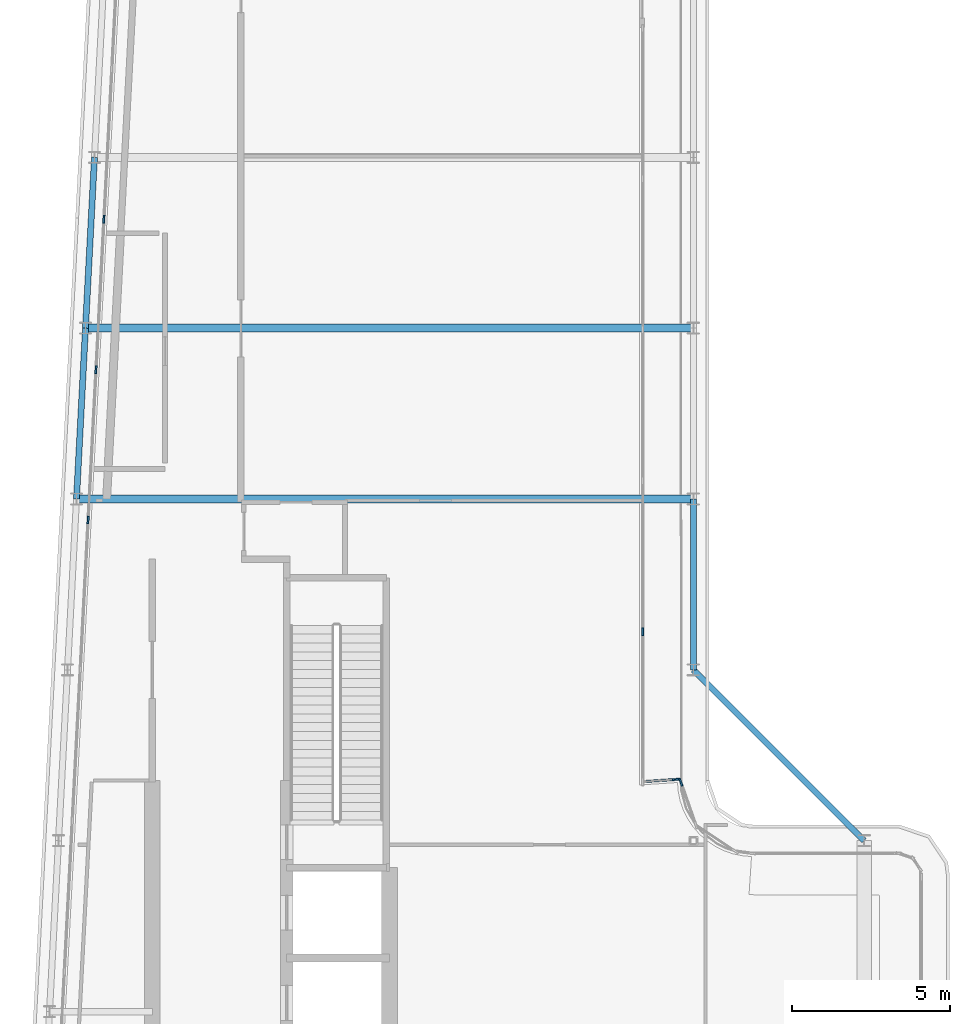
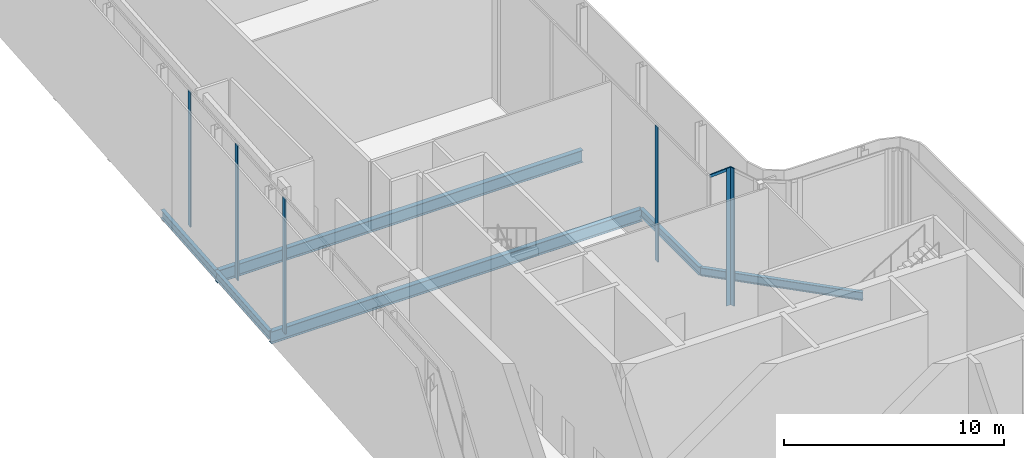
# One storey, part 5 of 23: 7 members, 6 beams, 4 elements without a shape of their own.
"""IFC4 building model written with IfcOpenShell, lengths in metres."""

from ifc_helpers import new_model, si_unit, direction, frame, origin, origin_2d, place, context, subcontext, project, spatial, rectangle, i_section, extrude, material, layer, layer_set, material_profile, profile_set, type_object, element, aggregate, save


model = new_model("IFC4")

# Units and contexts
model_context = context("Model", 3, precision=1e-05, world=origin(), true_north=direction((0.0, 1.0)))
body_context = subcontext(model_context, "Body", "Model", "MODEL_VIEW")
ifc_project = project(units=[si_unit("LENGTHUNIT", "METRE"), si_unit("AREAUNIT", "SQUARE_METRE"), si_unit("VOLUMEUNIT", "CUBIC_METRE"), si_unit("PLANEANGLEUNIT", "RADIAN"), si_unit("MASSUNIT", "GRAM", prefix="KILO")], contexts=[model_context])

# Site, building, storey
site_placement = place(None, origin())
site = spatial("IfcSite", under=ifc_project, at=site_placement, CompositionType="ELEMENT")
building_placement = place(site_placement, origin())
building = spatial("IfcBuilding", under=site, at=building_placement, Name="Kheshtan School and Residences Tower", CompositionType="ELEMENT")
storey_placement = place(building_placement, frame((0.0, 0.0, 389.0)))
storey = spatial("IfcBuildingStorey", under=building, at=storey_placement, Name="L92", CompositionType="ELEMENT", Elevation=389.0)

# Beams
ifc_material_1 = material(Name="Steel ASTM A992 Grade 50", Category="steel")
ifc_material_profile_1 = material_profile(ifc_material_1, i_section(OverallWidth=0.2529296875, OverallDepth=0.677978515625, WebThickness=0.01171875, FlangeThickness=0.016357421875, FilletRadius=0.0146484375, at=origin_2d()), Name="W690x125")
ifc_profile_set_1 = profile_set([ifc_material_profile_1], Name="Steel ASTM A992 Grade 50")
beam_type_1 = type_object("IfcBeamType", Name="Beam FB6 W690x125 ASTM A992 Grade 50", PredefinedType="BEAM", material=ifc_profile_set_1)
beam_1_placement = place(storey_placement, frame((47.60009765625, 56.39990234375, -0.489013671875), z_axis=(-1.0, 0.0, 0.0), x_axis=(0.0, -1.0, 0.0)))
element("IfcBeam", 1, at=beam_1_placement, inside=storey, type_object=beam_type_1, Name="Floor beam C081", PredefinedType="BEAM", context=body_context, shape_type="SweptSolid", body=[
    extrude(i_section(OverallWidth=0.2529296875, OverallDepth=0.677978515625, WebThickness=0.01171875, FlangeThickness=0.016357421875, FilletRadius=0.0146484375, at=origin_2d()), origin(), (0.0, 0.0, 1.0), 19.494140625),
])
beam_2_placement = place(storey_placement, frame((28.389892578125, 61.800048828125, -0.489013671875), z_axis=(1.0, 0.0, 0.0), x_axis=(0.0, 1.0, 0.0)))
element("IfcBeam", 2, at=beam_2_placement, inside=storey, type_object=beam_type_1, Name="Floor beam C082", PredefinedType="BEAM", context=body_context, shape_type="SweptSolid", body=[
    extrude(i_section(OverallWidth=0.2529296875, OverallDepth=0.677978515625, WebThickness=0.01171875, FlangeThickness=0.016357421875, FilletRadius=0.0146484375, at=origin_2d()), origin(), (0.0, 0.0, 1.0), 19.210205078125),
])
ifc_material_profile_2 = material_profile(ifc_material_1, i_section(OverallWidth=0.18994140625, OverallDepth=0.45703125, WebThickness=0.009033203125, FlangeThickness=0.014404296875, FilletRadius=0.01318359375, at=origin_2d()), Name="W460x74")
ifc_profile_set_2 = profile_set([ifc_material_profile_2], Name="Steel ASTM A992 Grade 50")
beam_type_2 = type_object("IfcBeamType", Name="Beam SP4 W460x74 ASTM A992 Grade 50", PredefinedType="BEAM", material=ifc_profile_set_2)
beam_3_placement = place(storey_placement, frame((47.60009765625, 56.39990234375, -0.37841796875), z_axis=(0.0, -1.0, 0.0), x_axis=(1.0, 0.0, 0.0)))
element("IfcBeam", 3, at=beam_3_placement, inside=storey, type_object=beam_type_2, Name="Spandrel beam C081-C079", PredefinedType="BEAM", context=body_context, shape_type="SweptSolid", body=[
    extrude(i_section(OverallWidth=0.18994140625, OverallDepth=0.45703125, WebThickness=0.009033203125, FlangeThickness=0.014404296875, FilletRadius=0.01318359375, at=origin_2d()), origin(), (0.0, 0.0, 1.0), 5.39990234375),
])
beam_4_placement = place(storey_placement, frame((47.60009765625, 51.0, -0.37841796875), z_axis=(0.707106781187, -0.707106781187, 0.0), x_axis=(0.707106781187, 0.707106781187, 0.0)))
element("IfcBeam", 4, at=beam_4_placement, inside=storey, type_object=beam_type_2, Name="Spandrel beam C079-C061", PredefinedType="BEAM", context=body_context, shape_type="SweptSolid", body=[
    extrude(i_section(OverallWidth=0.18994140625, OverallDepth=0.45703125, WebThickness=0.009033203125, FlangeThickness=0.014404296875, FilletRadius=0.01318359375, at=origin_2d()), origin(), (0.0, 0.0, 1.0), 7.63671875),
])
beam_5_placement = place(storey_placement, frame((28.10595703125, 56.39990234375, -0.37841796875), z_axis=(0.05250670125, 0.998620571751, 0.0), x_axis=(-0.998620571751, 0.05250670125, 0.0)))
element("IfcBeam", 5, at=beam_5_placement, inside=storey, type_object=beam_type_2, Name="Spandrel beam C080-C082", PredefinedType="BEAM", context=body_context, shape_type="SweptSolid", body=[
    extrude(i_section(OverallWidth=0.18994140625, OverallDepth=0.45703125, WebThickness=0.009033203125, FlangeThickness=0.014404296875, FilletRadius=0.01318359375, at=origin_2d()), origin(), (0.0, 0.0, 1.0), 5.40771484375),
])
beam_6_placement = place(storey_placement, frame((28.389892578125, 61.800048828125, -0.37841796875), z_axis=(0.052554093665, 0.998618078766, 0.0), x_axis=(-0.998618078766, 0.052554093665, 0.0)))
element("IfcBeam", 6, at=beam_6_placement, inside=storey, type_object=beam_type_2, Name="Spandrel beam C082-C084", PredefinedType="BEAM", context=body_context, shape_type="SweptSolid", body=[
    extrude(i_section(OverallWidth=0.18994140625, OverallDepth=0.45703125, WebThickness=0.009033203125, FlangeThickness=0.014404296875, FilletRadius=0.01318359375, at=origin_2d()), origin(), (0.0, 0.0, 1.0), 5.407470703125),
])

# Curtain wall, member
ifc_material_2 = material(Name="Clear low-e glass in thermally broken aluminium frame", Category="aluminium")
ifc_layer_1 = layer(ifc_material_2, 0.25)
ifc_layer_set_1 = layer_set([ifc_layer_1], Name="Curtain wall CW-G")
curtain_wall_type_1 = type_object("IfcCurtainWallType", Name="Curtain wall CW-G", PredefinedType="NOTDEFINED", material=ifc_layer_set_1)
curtain_wall_1_placement = place(storey_placement, origin())
curtain_wall_1 = element("IfcCurtainWall", 7, at=curtain_wall_1_placement, inside=storey, type_object=curtain_wall_type_1, Name="Curtain wall CWG19c", PredefinedType="NOTDEFINED")
ifc_material_3 = material(Name="Thermally broken aluminium, dark bronze anodised", Category="aluminium")
ifc_material_profile_3 = material_profile(ifc_material_3, rectangle(XDim=0.06005859375, YDim=0.25, at=origin_2d()), Name="CW-G mullion 60x250")
ifc_profile_set_3 = profile_set([ifc_material_profile_3], Name="Thermally broken aluminium, dark bronze anodised")
member_type_1 = type_object("IfcMemberType", Name="CW-G mullion 60x250", PredefinedType="MULLION", material=ifc_profile_set_3)
member_1_placement = place(storey_placement, frame((46.0, 52.2041015625, 0.0), z_axis=(0.0, 0.0, 1.0), x_axis=(1.0, 0.0, 0.0)))
member_1 = element("IfcMember", 8, at=member_1_placement, type_object=member_type_1, Name="CWG19c mullion 5", PredefinedType="MULLION", context=body_context, shape_type="SweptSolid", body=[
    extrude(rectangle(XDim=0.06005859375, YDim=0.25, at=origin_2d()), origin(), (0.0, 0.0, 1.0), 7.489990234375),
])
aggregate(curtain_wall_1, [member_1])

# Curtain wall, members
ifc_layer_2 = layer(ifc_material_2, 0.25)
ifc_layer_set_2 = layer_set([ifc_layer_2], Name="Curtain wall CW-K")
curtain_wall_type_2 = type_object("IfcCurtainWallType", Name="Curtain wall CW-K", PredefinedType="NOTDEFINED", material=ifc_layer_set_2)
curtain_wall_2_placement = place(storey_placement, origin())
curtain_wall_2 = element("IfcCurtainWall", 9, at=curtain_wall_2_placement, inside=storey, type_object=curtain_wall_type_2, Name="Curtain wall CWK10a", PredefinedType="NOTDEFINED")
ifc_material_profile_4 = material_profile(ifc_material_3, rectangle(XDim=0.06005859375, YDim=0.25, at=origin_2d()), Name="CW-K mullion 60x250")
ifc_profile_set_4 = profile_set([ifc_material_profile_4], Name="Thermally broken aluminium, dark bronze anodised")
member_type_2 = type_object("IfcMemberType", Name="CW-K mullion 60x250", PredefinedType="MULLION", material=ifc_profile_set_4)
member_2_placement = place(storey_placement, frame((28.470947265625, 55.737060546875, 0.0), z_axis=(0.0, 0.0, 1.0), x_axis=(-0.998617497599, 0.05256513568, 0.0)))
member_2 = element("IfcMember", 10, at=member_2_placement, type_object=member_type_2, Name="CWK10a mullion 6", PredefinedType="MULLION", context=body_context, shape_type="SweptSolid", body=[
    extrude(rectangle(XDim=0.06005859375, YDim=0.25, at=origin_2d()), origin(), (0.0, 0.0, 1.0), 7.489990234375),
])
member_3_placement = place(storey_placement, frame((28.720947265625, 60.489013671875, 0.0), z_axis=(0.0, 0.0, 1.0), x_axis=(-0.998617497599, 0.05256513568, 0.0)))
member_3 = element("IfcMember", 11, at=member_3_placement, type_object=member_type_2, Name="CWK10a mullion 7", PredefinedType="MULLION", context=body_context, shape_type="SweptSolid", body=[
    extrude(rectangle(XDim=0.06005859375, YDim=0.25, at=origin_2d()), origin(), (0.0, 0.0, 1.0), 7.489990234375),
])
member_4_placement = place(storey_placement, frame((28.97119140625, 65.2412109375, 0.0), z_axis=(0.0, 0.0, 1.0), x_axis=(-0.998617497599, 0.05256513568, 0.0)))
member_4 = element("IfcMember", 12, at=member_4_placement, type_object=member_type_2, Name="CWK10a mullion 8", PredefinedType="MULLION", context=body_context, shape_type="SweptSolid", body=[
    extrude(rectangle(XDim=0.06005859375, YDim=0.25, at=origin_2d()), origin(), (0.0, 0.0, 1.0), 7.489990234375),
])
aggregate(curtain_wall_2, [member_2, member_3, member_4])

# Curtain wall, member
curtain_wall_3_placement = place(storey_placement, origin())
curtain_wall_3 = element("IfcCurtainWall", 13, at=curtain_wall_3_placement, inside=storey, type_object=curtain_wall_type_2, Name="Curtain wall CWK20a", PredefinedType="NOTDEFINED")
member_5_placement = place(storey_placement, frame((47.0654296875, 47.537841796875, 0.0), z_axis=(0.0, 0.0, 1.0), x_axis=(-0.065855059944, 0.997829199352, 0.0)))
member_5 = element("IfcMember", 14, at=member_5_placement, type_object=member_type_2, Name="CWK20a mullion 2", PredefinedType="MULLION", context=body_context, shape_type="SweptSolid", body=[
    extrude(rectangle(XDim=0.06005859375, YDim=0.25, at=origin_2d()), origin(), (0.0, 0.0, 1.0), 7.64990234375),
])

curtain_wall_4_placement = place(storey_placement, origin())
curtain_wall_4 = element("IfcCurtainWall", 15, at=curtain_wall_4_placement, inside=storey, type_object=curtain_wall_type_2, Name="Curtain wall CWK21a", PredefinedType="NOTDEFINED")
member_6_placement = place(storey_placement, frame((47.206298828125, 47.44482421875, 0.0), z_axis=(0.0, 0.0, 1.0), x_axis=(0.943511360053, 0.331340177841, 0.0)))
member_6 = element("IfcMember", 16, at=member_6_placement, type_object=member_type_2, Name="CWK21a mullion 1", PredefinedType="MULLION", context=body_context, shape_type="SweptSolid", body=[
    extrude(rectangle(XDim=0.06005859375, YDim=0.25, at=origin_2d()), origin(), (0.0, 0.0, 1.0), 7.64990234375),
])
aggregate(curtain_wall_4, [member_6])

# Member
ifc_material_profile_5 = material_profile(ifc_material_3, rectangle(XDim=0.06005859375, YDim=0.159912109375, at=origin_2d()), Name="CW-K transom 60x160")
ifc_profile_set_5 = profile_set([ifc_material_profile_5], Name="Thermally broken aluminium, dark bronze anodised")
member_type_3 = type_object("IfcMemberType", Name="CW-K transom 60x160", PredefinedType="USERDEFINED", material=ifc_profile_set_5)
member_7_placement = place(storey_placement, frame((46.029541015625, 47.469482421875, 7.570068359375), z_axis=(0.997828867029, 0.065860095082, 0.0), x_axis=(-0.065860095082, 0.997828867029, 0.0)))
member_7 = element("IfcMember", 17, at=member_7_placement, type_object=member_type_3, Name="CWK20a transom 1", ObjectType="TRANSOM", PredefinedType="USERDEFINED", context=body_context, shape_type="SweptSolid", body=[
    extrude(rectangle(XDim=0.06005859375, YDim=0.159912109375, at=origin_2d()), origin(), (0.0, 0.0, 1.0), 1.00830078125),
])

aggregate(curtain_wall_3, [member_5, member_7])

save(model, "model.ifc")
